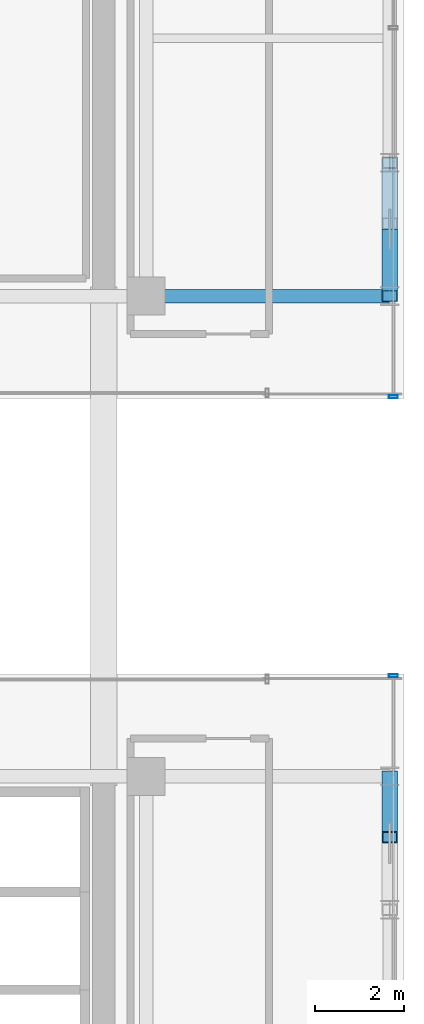
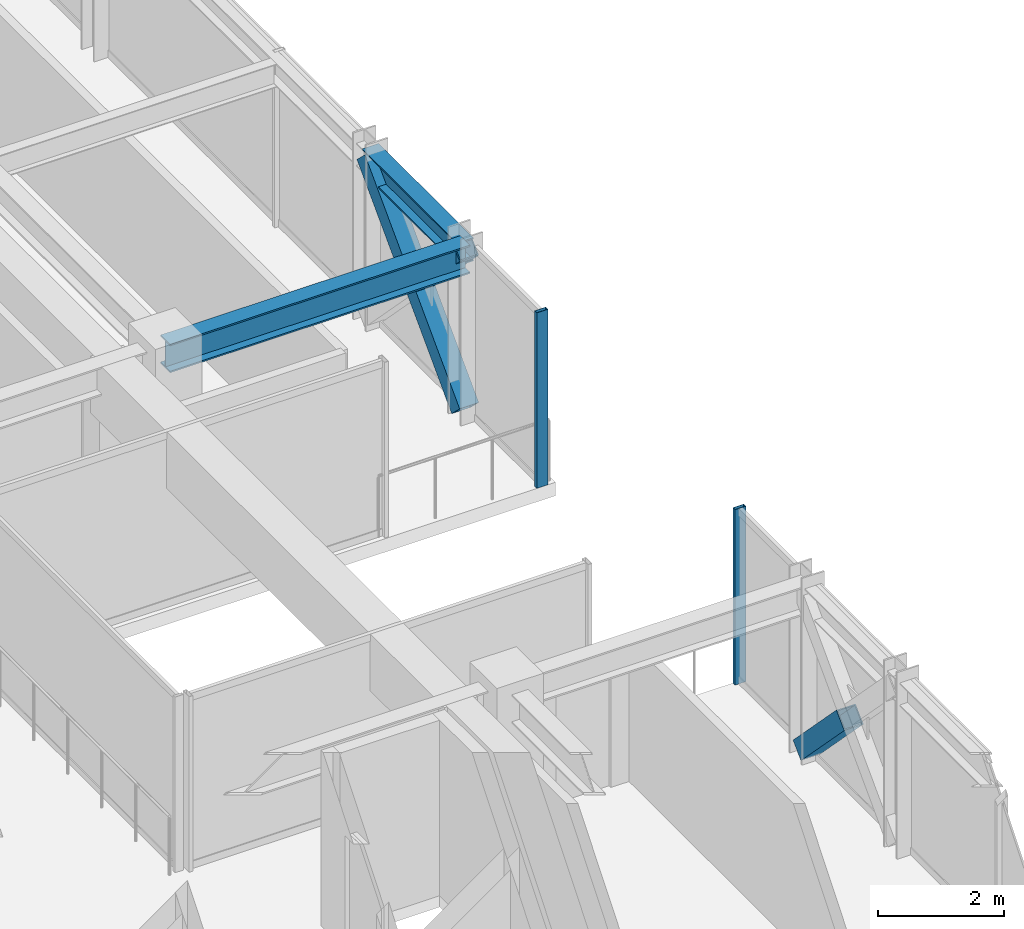
# One storey, part 20 of 43: 5 members, 2 beams, 2 elements without a shape of their own.
"""IFC4 building model written with IfcOpenShell, lengths in metres."""

from ifc_helpers import new_model, si_unit, direction, frame, origin, origin_2d, place, context, subcontext, project, spatial, hollow_rectangle, i_section, extrude, source, transform, mapped, material, material_profile, profile_set, type_object, element, aggregate, save


model = new_model("IFC4")

# Units and contexts
model_context = context("Model", 3, precision=1e-05, world=origin(), true_north=direction((0.0, 1.0)))
body_context = subcontext(model_context, "Body", "Model", "MODEL_VIEW")
ifc_project = project(units=[si_unit("LENGTHUNIT", "METRE"), si_unit("AREAUNIT", "SQUARE_METRE"), si_unit("VOLUMEUNIT", "CUBIC_METRE"), si_unit("PLANEANGLEUNIT", "RADIAN"), si_unit("MASSUNIT", "GRAM", prefix="KILO")], contexts=[model_context])

# Site, building, storey
site_placement = place(None, origin())
site = spatial("IfcSite", under=ifc_project, at=site_placement, CompositionType="ELEMENT")
building_placement = place(site_placement, origin())
building = spatial("IfcBuilding", under=site, at=building_placement, Name="Nahalor Promenade Grand Hotel", CompositionType="ELEMENT")
storey_placement = place(building_placement, frame((0.0, 0.0, 181.85009765625)))
storey = spatial("IfcBuildingStorey", under=building, at=storey_placement, Name="L46", CompositionType="ELEMENT", Elevation=181.85009765625)

# Beams
ifc_material_1 = material(Name="Steel S355JR", Category="steel")
ifc_material_profile_1 = material_profile(ifc_material_1, i_section(OverallWidth=0.3, OverallDepth=0.55, WebThickness=0.015, FlangeThickness=0.029, at=origin_2d()), Name="HEB 550")
ifc_profile_set_1 = profile_set([ifc_material_profile_1], Name="Steel S355JR")
beam_type_1 = type_object("IfcBeamType", Name="Beam-Girder-HEB550", PredefinedType="BEAM", material=ifc_profile_set_1)
shared_shape_1 = source(origin(), body_context, "Body", "SweptSolid", [
    extrude(i_section(OverallWidth=0.3, OverallDepth=0.55, WebThickness=0.015, FlangeThickness=0.029, at=origin_2d()), origin(), (0.0, 0.0, 1.0), 5.47998046875),
])
beam_1_placement = place(storey_placement, frame((17.0, 5.39990234375, 3.114990234375), z_axis=(1.0, 0.0, 0.0), x_axis=(0.0, 1.0, 0.0)))
element("IfcBeam", 1, at=beam_1_placement, inside=storey, type_object=beam_type_1, Name="BM-L46-GX-2-6", PredefinedType="BEAM", context=body_context, shape_type="MappedRepresentation", body=[
    mapped(shared_shape_1, transform((0.0, 0.0, 0.0), scale=1.0)),
])
ifc_material_profile_2 = material_profile(ifc_material_1, i_section(OverallWidth=0.3, OverallDepth=0.45, WebThickness=0.014, FlangeThickness=0.026, at=origin_2d()), Name="HEB 450")
ifc_profile_set_2 = profile_set([ifc_material_profile_2], Name="Steel S355JR")
beam_type_2 = type_object("IfcBeamType", Name="Beam-Spandrel-HEB450", PredefinedType="SPANDREL", material=ifc_profile_set_2)
shared_shape_2 = source(origin(), body_context, "Body", "SweptSolid", [
    extrude(i_section(OverallWidth=0.3, OverallDepth=0.45, WebThickness=0.014, FlangeThickness=0.026, at=origin_2d()), origin(), (0.0, 0.0, 1.0), 3.0),
])
beam_2_placement = place(storey_placement, frame((22.47998046875, 5.39990234375, 3.164794921875), z_axis=(0.0, 1.0, 0.0), x_axis=(-1.0, 0.0, 0.0)))
element("IfcBeam", 2, at=beam_2_placement, inside=storey, type_object=beam_type_2, Name="BM-L46-SP-E-3", PredefinedType="SPANDREL", context=body_context, shape_type="MappedRepresentation", body=[
    mapped(shared_shape_2, transform((0.0, 0.0, 0.0), scale=1.0)),
])

# Members
ifc_material_profile_3 = material_profile(ifc_material_1, hollow_rectangle(XDim=0.35, YDim=0.35, WallThickness=0.02, at=origin_2d()), Name="SHS 350x350x20")
ifc_profile_set_3 = profile_set([ifc_material_profile_3], Name="Steel S355JR")
member_type_1 = type_object("IfcMemberType", Name="Mem-VoidBrace-SHS350", PredefinedType="BRACE", material=ifc_profile_set_3)
shared_shape_3 = source(origin(), body_context, "Body", "SweptSolid", [
    extrude(hollow_rectangle(XDim=0.35, YDim=0.35, WallThickness=0.02, at=origin_2d()), origin(), (0.0, 0.0, 1.0), 4.306884765625),
])
member_1_placement = place(storey_placement, frame((22.47998046875, 5.39990234375, 0.14990234375), z_axis=(0.0, 0.696570665899, 0.717488193219), x_axis=(-1.0, 0.0, 0.0)))
element("IfcMember", 3, at=member_1_placement, inside=storey, type_object=member_type_1, Name="EXO-L46-VX1-E1", PredefinedType="BRACE", context=body_context, shape_type="MappedRepresentation", body=[
    mapped(shared_shape_3, transform((0.0, 0.0, 0.0), scale=1.0)),
])
shared_shape_4 = source(origin(), body_context, "Body", "SweptSolid", [
    extrude(hollow_rectangle(XDim=0.35, YDim=0.35, WallThickness=0.02, at=origin_2d()), origin(), (0.0, 0.0, 1.0), 1.966552734375),
])
for number, where, z_axis, x_axis, name in (
    (4, (22.47998046875, -5.39990234375, 0.14990234375), (0.0, -0.696601340579, 0.71745841155), (1.0, 0.0, 0.0), "EXO-L46-VX2-E0A"),
    (5, (22.47998046875, 6.769775390625, 1.8291015625), (0.0, -0.696601340579, 0.71745841155), (1.0, 0.0, 0.0), "EXO-L46-VX2-E1B"),
):
    element("IfcMember", number, at=place(storey_placement, frame(where, z_axis=z_axis, x_axis=x_axis)), inside=storey, type_object=member_type_1, Name=name, PredefinedType="BRACE", context=body_context, shape_type="MappedRepresentation", body=[
        mapped(shared_shape_4, transform((0.0, 0.0, 0.0), scale=1.0)),
    ])

# Curtain wall, member
ifc_material_2 = material(Name="Anodised Bronze Aluminium EN AW-6063 T6", Category="aluminium")
curtain_wall_type = type_object("IfcCurtainWallType", Name="CW3 Elliptical-Void Collar Unitised Curtain Wall", PredefinedType="USERDEFINED", material=ifc_material_2)
curtain_wall_1_placement = place(storey_placement, origin())
curtain_wall_1 = element("IfcCurtainWall", 6, at=curtain_wall_1_placement, inside=storey, type_object=curtain_wall_type, Name="L46 Curtain Wall CW-L46-E-1", ObjectType="UNITISED_CURTAIN_WALL", PredefinedType="USERDEFINED")
ifc_material_profile_4 = material_profile(ifc_material_2, hollow_rectangle(XDim=0.07, YDim=0.2, WallThickness=0.005, at=origin_2d()), Name="CWM 70x200x5")
ifc_profile_set_4 = profile_set([ifc_material_profile_4], Name="Anodised Bronze Aluminium EN AW-6063 T6")
member_type_2 = type_object("IfcMemberType", Name="CWM3 Void Collar Mullion 70x200", PredefinedType="MULLION", material=ifc_profile_set_4)
shared_shape_5 = source(origin(), body_context, "Body", "SweptSolid", [
    extrude(hollow_rectangle(XDim=0.07, YDim=0.2, WallThickness=0.005, at=origin_2d()), origin(), (0.0, 0.0, 1.0), 3.389892578125),
])
member_2_placement = place(storey_placement, frame((22.56005859375, -3.135009765625, 0.0), z_axis=(0.0, 0.0, 1.0), x_axis=(0.0, 1.0, 0.0)))
member_2 = element("IfcMember", 7, at=member_2_placement, type_object=member_type_2, Name="CW-L46-E-1 Mullion 2", PredefinedType="MULLION", context=body_context, shape_type="MappedRepresentation", body=[
    mapped(shared_shape_5, transform((0.0, 0.0, 0.0), scale=1.0)),
])
aggregate(curtain_wall_1, [member_2])

curtain_wall_2_placement = place(storey_placement, origin())
curtain_wall_2 = element("IfcCurtainWall", 8, at=curtain_wall_2_placement, inside=storey, type_object=curtain_wall_type, Name="L46 Curtain Wall CW-L46-E-2", ObjectType="UNITISED_CURTAIN_WALL", PredefinedType="USERDEFINED")
member_3_placement = place(storey_placement, frame((22.56005859375, 3.135009765625, 0.0), z_axis=(0.0, 0.0, 1.0), x_axis=(0.0, 1.0, 0.0)))
member_3 = element("IfcMember", 9, at=member_3_placement, type_object=member_type_2, Name="CW-L46-E-2 Mullion 0", PredefinedType="MULLION", context=body_context, shape_type="MappedRepresentation", body=[
    mapped(shared_shape_5, transform((0.0, 0.0, 0.0), scale=1.0)),
])
aggregate(curtain_wall_2, [member_3])

save(model, "model.ifc")
